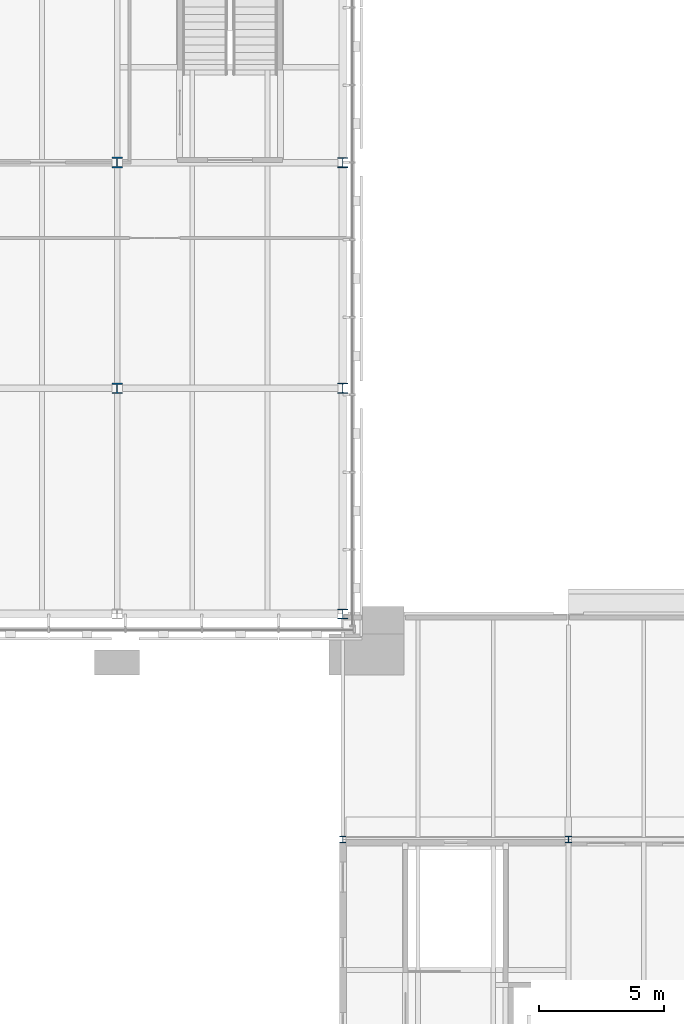
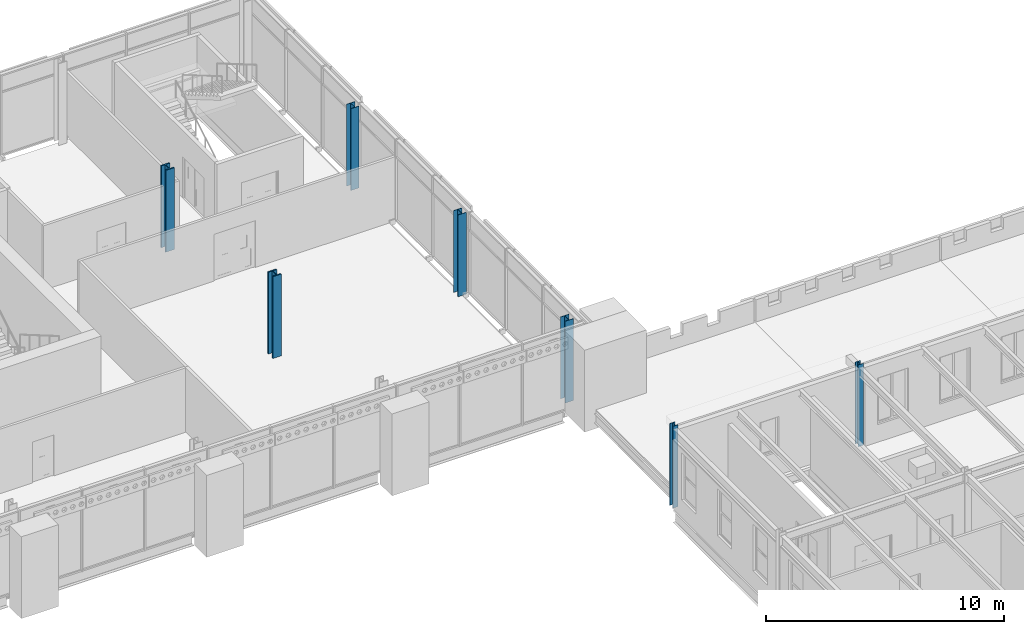
# One storey, part 7 of 123: 7 columns.
"""IFC4 building model written with IfcOpenShell, lengths in metres."""

from ifc_helpers import new_model, si_unit, direction, frame, origin, origin_2d, place, context, subcontext, project, spatial, i_section, extrude, material, material_profile, profile_set, type_object, element, save


model = new_model("IFC4")

# Units and contexts
model_context = context("Model", 3, precision=1e-05, world=origin(), true_north=direction((0.0, 1.0)))
body_context = subcontext(model_context, "Body", "Model", "MODEL_VIEW")
ifc_project = project(units=[si_unit("LENGTHUNIT", "METRE"), si_unit("AREAUNIT", "SQUARE_METRE"), si_unit("VOLUMEUNIT", "CUBIC_METRE"), si_unit("PLANEANGLEUNIT", "RADIAN"), si_unit("MASSUNIT", "GRAM", prefix="KILO")], contexts=[model_context])

# Site, building, storey
site_placement = place(None, origin())
site = spatial("IfcSite", under=ifc_project, at=site_placement, CompositionType="ELEMENT")
building_placement = place(site_placement, origin())
building = spatial("IfcBuilding", under=site, at=building_placement, Name="Baradari Gate Terminus", CompositionType="ELEMENT")
storey_placement = place(building_placement, frame((0.0, 0.0, 7.5)))
storey = spatial("IfcBuildingStorey", under=building, at=storey_placement, Name="L01", CompositionType="ELEMENT", Elevation=7.5)

# Columns
ifc_material_1 = material(Name="Steel S355", Category="steel")
ifc_material_profile_1 = material_profile(ifc_material_1, i_section(OverallWidth=0.25634765625, OverallDepth=0.26025390625, WebThickness=0.01025390625, FlangeThickness=0.017333984375, FilletRadius=0.0126953125, at=origin_2d()), Name="UC 254x254x89")
ifc_profile_set_1 = profile_set([ifc_material_profile_1], Name="Steel S355")
column_type_1 = type_object("IfcColumnType", Name="Head-house facade column C08 UC 254x254x89", PredefinedType="COLUMN", material=ifc_profile_set_1)
for number, where, z_axis, x_axis, name in (
    (1, (63.0, 108.0, 0.0), (0.0, 0.0, 1.0), (1.0, 0.0, 0.0), "C08 column 8-N L01"),
    (2, (72.0, 108.0, 0.0), (0.0, 0.0, 1.0), (1.0, 0.0, 0.0), "C08 column 9-N L01"),
):
    element("IfcColumn", number, at=place(storey_placement, frame(where, z_axis=z_axis, x_axis=x_axis)), inside=storey, type_object=column_type_1, Name=name, PredefinedType="COLUMN", context=body_context, shape_type="SweptSolid", body=[
        extrude(i_section(OverallWidth=0.25634765625, OverallDepth=0.26025390625, WebThickness=0.01025390625, FlangeThickness=0.017333984375, FilletRadius=0.0126953125, at=origin_2d()), origin(), (0.0, 0.0, 1.0), 4.199951171875),
    ])
ifc_material_2 = material(Name="Steel S355", Category="steel")
ifc_material_profile_2 = material_profile(ifc_material_2, i_section(OverallWidth=0.412109375, OverallDepth=0.4365234375, WebThickness=0.035888671875, FlangeThickness=0.05810546875, FilletRadius=0.01513671875, at=origin_2d()), Name="UC 356x406x467")
ifc_profile_set_2 = profile_set([ifc_material_profile_2], Name="Steel S355")
column_type_2 = type_object("IfcColumnType", Name="Operations block column C02 UC 356x406x467", PredefinedType="COLUMN", material=ifc_profile_set_2)
for number, where, z_axis, x_axis, name in (
    (3, (54.0, 126.0, 0.0), (0.0, 0.0, 1.0), (1.0, 0.0, 0.0), "C02 column 7-Q L01"),
    (4, (54.0, 135.0, 0.0), (0.0, 0.0, 1.0), (1.0, 0.0, 0.0), "C02 column 7-R L01"),
):
    element("IfcColumn", number, at=place(storey_placement, frame(where, z_axis=z_axis, x_axis=x_axis)), inside=storey, type_object=column_type_2, Name=name, PredefinedType="COLUMN", context=body_context, shape_type="SweptSolid", body=[
        extrude(i_section(OverallWidth=0.412109375, OverallDepth=0.4365234375, WebThickness=0.035888671875, FlangeThickness=0.05810546875, FilletRadius=0.01513671875, at=origin_2d()), origin(), (0.0, 0.0, 1.0), 4.199951171875),
    ])
ifc_material_3 = material(Name="Steel S355", Category="steel")
ifc_material_profile_3 = material_profile(ifc_material_3, i_section(OverallWidth=0.39892578125, OverallDepth=0.3935546875, WebThickness=0.015869140625, FlangeThickness=0.02490234375, FilletRadius=0.01513671875, at=origin_2d()), Name="UC 356x406x287")
ifc_profile_set_3 = profile_set([ifc_material_profile_3], Name="Steel S355")
column_type_3 = type_object("IfcColumnType", Name="Operations block perimeter column C01 UC 356x406x287", PredefinedType="COLUMN", material=ifc_profile_set_3)
for number, where, z_axis, x_axis, name in (
    (5, (63.0, 117.0, 0.0), (0.0, 0.0, 1.0), (1.0, 0.0, 0.0), "C01 column 8-P L01"),
    (6, (63.0, 126.0, 0.0), (0.0, 0.0, 1.0), (1.0, 0.0, 0.0), "C01 column 8-Q L01"),
    (7, (63.0, 135.0, 0.0), (0.0, 0.0, 1.0), (1.0, 0.0, 0.0), "C01 column 8-R L01"),
):
    element("IfcColumn", number, at=place(storey_placement, frame(where, z_axis=z_axis, x_axis=x_axis)), inside=storey, type_object=column_type_3, Name=name, PredefinedType="COLUMN", context=body_context, shape_type="SweptSolid", body=[
        extrude(i_section(OverallWidth=0.39892578125, OverallDepth=0.3935546875, WebThickness=0.015869140625, FlangeThickness=0.02490234375, FilletRadius=0.01513671875, at=origin_2d()), origin(), (0.0, 0.0, 1.0), 4.199951171875),
    ])

save(model, "model.ifc")
